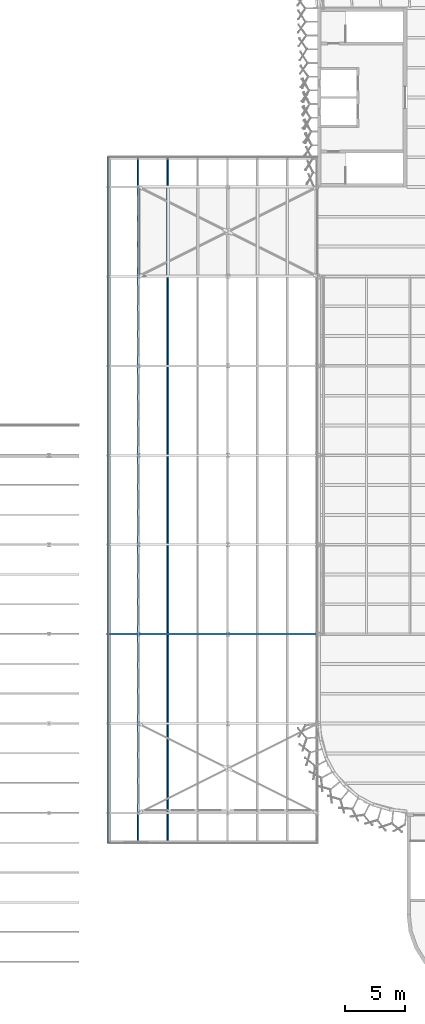
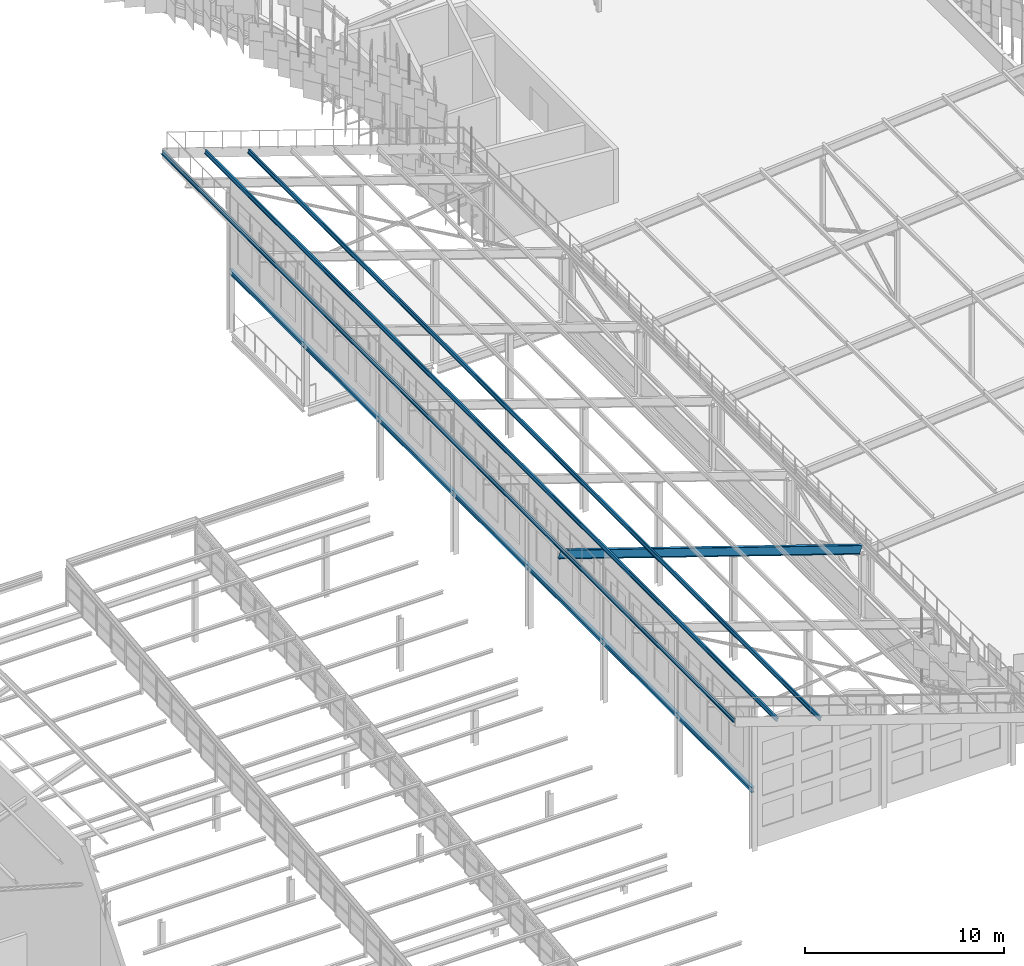
# One storey, part 66 of 483: 3 members, 2 beams.
"""IFC4 building model written with IfcOpenShell, lengths in metres."""

from ifc_helpers import new_model, si_unit, direction, frame, origin, origin_2d, place, context, subcontext, project, spatial, i_section, extrude, material, material_profile, profile_set, type_object, element, save


model = new_model("IFC4")

# Units and contexts
model_context = context("Model", 3, precision=1e-05, world=origin(), true_north=direction((0.0, 1.0)))
body_context = subcontext(model_context, "Body", "Model", "MODEL_VIEW")
ifc_project = project(units=[si_unit("LENGTHUNIT", "METRE"), si_unit("AREAUNIT", "SQUARE_METRE"), si_unit("VOLUMEUNIT", "CUBIC_METRE"), si_unit("PLANEANGLEUNIT", "RADIAN"), si_unit("MASSUNIT", "GRAM", prefix="KILO")], contexts=[model_context])

# Site, building, storey
site_placement = place(None, origin())
site = spatial("IfcSite", under=ifc_project, at=site_placement, CompositionType="ELEMENT")
building_placement = place(site_placement, origin())
building = spatial("IfcBuilding", under=site, at=building_placement, Name="Parallax Yard Mobility Hub", CompositionType="ELEMENT")
storey_placement = place(building_placement, frame((0.0, 0.0, 13.199951171875)))
storey = spatial("IfcBuildingStorey", under=building, at=storey_placement, Name="L04", CompositionType="ELEMENT", Elevation=13.199951171875)

# Beam
ifc_material = material(Name="Steel ASTM A992", Category="steel")
ifc_material_profile_1 = material_profile(ifc_material, i_section(OverallWidth=0.1650390625, OverallDepth=0.31005859375, WebThickness=0.005859375, FlangeThickness=0.009765625, at=origin_2d()), Name="W310x39")
ifc_profile_set_1 = profile_set([ifc_material_profile_1], Name="Steel ASTM A992")
beam_type_1 = type_object("IfcBeamType", Name="Edge girder W310x39", PredefinedType="BEAM", material=ifc_profile_set_1)
beam_1_placement = place(storey_placement, frame((180.0, 22.5, 3.64501953125), z_axis=(0.0, 1.0, 0.0), x_axis=(-1.0, 0.0, 0.0)))
element("IfcBeam", 1, at=beam_1_placement, inside=storey, type_object=beam_type_1, Name="Edge girder on the west face of the ramp house", PredefinedType="BEAM", context=body_context, shape_type="SweptSolid", body=[
    extrude(i_section(OverallWidth=0.1650390625, OverallDepth=0.31005859375, WebThickness=0.005859375, FlangeThickness=0.009765625, at=origin_2d()), origin(), (0.0, 0.0, 1.0), 52.5),
])

# Members
ifc_material_profile_2 = material_profile(ifc_material, i_section(OverallWidth=0.133056640625, OverallDepth=0.20703125, WebThickness=0.005859375, FlangeThickness=0.00830078125, at=origin_2d()), Name="W200x27")
ifc_profile_set_2 = profile_set([ifc_material_profile_2], Name="Steel ASTM A992")
member_type = type_object("IfcMemberType", Name="Roof purlin W200x27", PredefinedType="PURLIN", material=ifc_profile_set_2)
for number, where, z_axis, x_axis, name in (
    (2, (177.46728515625, 20.0, 10.31103515625), (0.0, 1.0, 0.0), (-0.948683567514, 0.0, 0.316226957624), "Roof purlin at x 177.5"),
    (3, (179.96728515625, 20.0, 9.4775390625), (0.0, 1.0, 0.0), (-0.948683567514, 0.0, 0.316226957624), "Roof purlin at x 180"),
    (4, (182.46728515625, 20.0, 8.644287109375), (0.0, 1.0, 0.0), (-0.948683567514, 0.0, 0.316226957624), "Roof purlin at x 182.5"),
):
    element("IfcMember", number, at=place(storey_placement, frame(where, z_axis=z_axis, x_axis=x_axis)), inside=storey, type_object=member_type, Name=name, PredefinedType="PURLIN", context=body_context, shape_type="SweptSolid", body=[
        extrude(i_section(OverallWidth=0.133056640625, OverallDepth=0.20703125, WebThickness=0.005859375, FlangeThickness=0.00830078125, at=origin_2d()), origin(), (0.0, 0.0, 1.0), 57.5),
    ])

# Beam
ifc_material_profile_3 = material_profile(ifc_material, i_section(OverallWidth=0.166015625, OverallDepth=0.529052734375, WebThickness=0.009765625, FlangeThickness=0.013671875, at=origin_2d()), Name="W530x74")
ifc_profile_set_3 = profile_set([ifc_material_profile_3], Name="Steel ASTM A992")
beam_type_2 = type_object("IfcBeamType", Name="Roof rafter W530x74", PredefinedType="BEAM", material=ifc_profile_set_3)
beam_2_placement = place(storey_placement, frame((177.41650390625, 37.5, 9.93994140625), z_axis=(0.948684621542, 0.0, -0.316223795515), x_axis=(0.0, 1.0, 0.0)))
element("IfcBeam", 5, at=beam_2_placement, inside=storey, type_object=beam_type_2, Name="Roof rafter at y 37.5", PredefinedType="BEAM", context=body_context, shape_type="SweptSolid", body=[
    extrude(i_section(OverallWidth=0.166015625, OverallDepth=0.529052734375, WebThickness=0.009765625, FlangeThickness=0.013671875, at=origin_2d()), origin(), (0.0, 0.0, 1.0), 18.446533203125),
])

save(model, "model.ifc")
